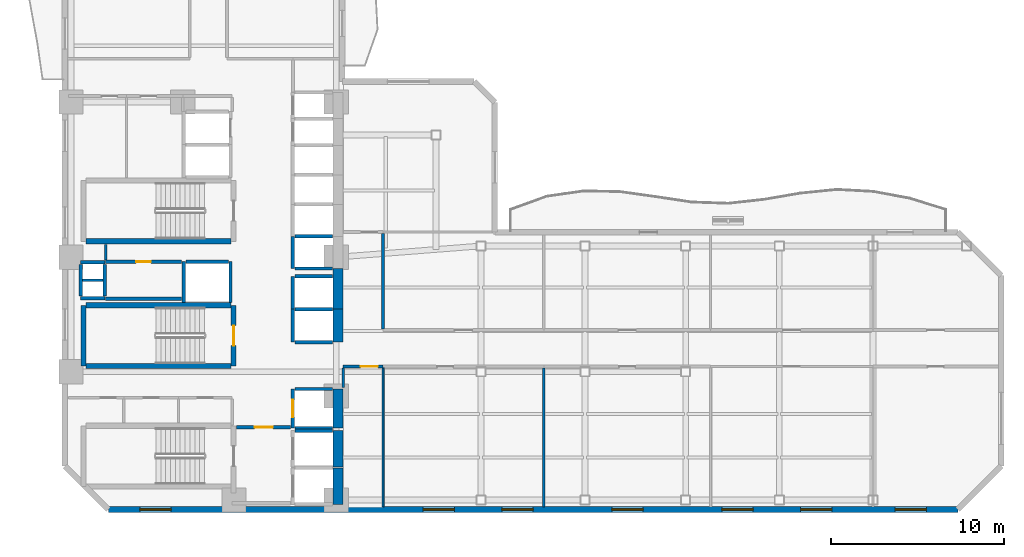
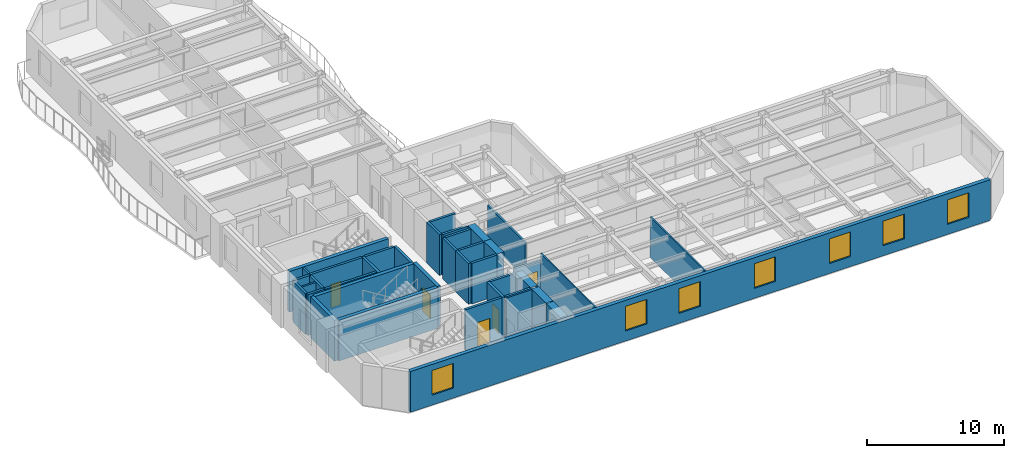
# One storey, part 3 of 10: 40 walls, 7 windows, 5 doors, 12 openings.
"""IFC4 building model written with IfcOpenShell, lengths in metres."""

from ifc_helpers import new_model, si_unit, direction, frame, frame_2d, origin, place, context, subcontext, project, spatial, rectangle, extrude, material, layer, layer_set, type_object, element, fill, save


model = new_model("IFC4")

# Units and contexts
model_context = context("Model", 3, precision=1e-05, world=origin(), true_north=direction((0.0, 1.0)))
body_context = subcontext(model_context, "Body", "Model", "MODEL_VIEW")
ifc_project = project(units=[si_unit("LENGTHUNIT", "METRE"), si_unit("AREAUNIT", "SQUARE_METRE"), si_unit("VOLUMEUNIT", "CUBIC_METRE"), si_unit("PLANEANGLEUNIT", "RADIAN"), si_unit("MASSUNIT", "GRAM", prefix="KILO")], contexts=[model_context])

# Site, building, storey
site_placement = place(None, origin())
site = spatial("IfcSite", under=ifc_project, at=site_placement, CompositionType="ELEMENT")
building_placement = place(site_placement, origin())
building = spatial("IfcBuilding", under=site, at=building_placement, Name="Mawjaban Terraces University", CompositionType="ELEMENT")
storey_placement = place(building_placement, frame((0.0, 0.0, 89.5)))
storey = spatial("IfcBuildingStorey", under=building, at=storey_placement, Name="L21", CompositionType="ELEMENT", Elevation=89.5)

# Walls
ifc_material_1 = material(Name="Concrete C70/85", Category="concrete")
ifc_layer_1 = layer(ifc_material_1, 0.60009765625)
ifc_layer_set_1 = layer_set([ifc_layer_1], Name="Concrete C70/85")
wall_type_1 = type_object("IfcWallType", Name="CoreShearWall_600", PredefinedType="SHEAR", material=ifc_layer_set_1)
wall_1_placement = place(storey_placement, frame((37.75, 0.300048828125, 0.0), z_axis=(0.0, 0.0, 1.0), x_axis=(0.0, 1.0, 0.0)))
element("IfcWall", 1, at=wall_1_placement, inside=storey, type_object=wall_type_1, Name="L21 Lift FL-1 Hoistway Wall East", PredefinedType="SHEAR", context=body_context, shape_type="SweptSolid", body=[
    extrude(rectangle(XDim=2.099853515625, YDim=0.60009765625, at=frame_2d((1.0498046875, 0.0))), origin(), (0.0, 0.0, 1.0), 3.639892578125),
])
wall_2_placement = place(storey_placement, frame((37.75, 2.449951171875, 0.0), z_axis=(0.0, 0.0, 1.0), x_axis=(0.0, 1.0, 0.0)))
element("IfcWall", 2, at=wall_2_placement, inside=storey, type_object=wall_type_1, Name="L21 Lift FL-2 Hoistway Wall East", PredefinedType="SHEAR", context=body_context, shape_type="SweptSolid", body=[
    extrude(rectangle(XDim=2.10009765625, YDim=0.60009765625, at=frame_2d((1.050048828125, 0.0))), origin(), (0.0, 0.0, 1.0), 3.639892578125),
])
wall_3_placement = place(storey_placement, frame((37.75, 4.699951171875, 0.0), z_axis=(0.0, 0.0, 1.0), x_axis=(0.0, 1.0, 0.0)))
element("IfcWall", 3, at=wall_3_placement, inside=storey, type_object=wall_type_1, Name="L21 Lift SL-1 Hoistway Wall East", PredefinedType="SHEAR", context=body_context, shape_type="SweptSolid", body=[
    extrude(rectangle(XDim=2.25, YDim=0.60009765625, at=frame_2d((1.125, 0.0))), origin(), (0.0, 0.0, 1.0), 3.639892578125),
])
wall_4_placement = place(storey_placement, frame((37.75, 9.64990234375, 0.0), z_axis=(0.0, 0.0, 1.0), x_axis=(0.0, 1.0, 0.0)))
element("IfcWall", 4, at=wall_4_placement, inside=storey, type_object=wall_type_1, Name="L21 Lift PL-H1 Hoistway Wall East", PredefinedType="SHEAR", context=body_context, shape_type="SweptSolid", body=[
    extrude(rectangle(XDim=1.900146484375, YDim=0.60009765625, at=frame_2d((0.9501953125, 0.0))), origin(), (0.0, 0.0, 1.0), 3.639892578125),
])
wall_5_placement = place(storey_placement, frame((37.75, 11.550048828125, 0.0), z_axis=(0.0, 0.0, 1.0), x_axis=(0.0, 1.0, 0.0)))
element("IfcWall", 5, at=wall_5_placement, inside=storey, type_object=wall_type_1, Name="L21 Lift PL-H2 Hoistway Wall East", PredefinedType="SHEAR", context=body_context, shape_type="SweptSolid", body=[
    extrude(rectangle(XDim=2.349853515625, YDim=0.60009765625, at=frame_2d((1.1748046875, 0.0))), origin(), (0.0, 0.0, 1.0), 3.639892578125),
])

# Wall, opening, door
ifc_material_2 = material(Name="Fire-rated gypsum board on steel stud", Category="steel")
ifc_layer_2 = layer(ifc_material_2, 0.159912109375)
ifc_layer_set_2 = layer_set([ifc_layer_2], Name="Fire-rated gypsum board on steel stud")
wall_type_2 = type_object("IfcWallType", Name="CorridorPartition_160", PredefinedType="PARTITIONING", material=ifc_layer_set_2)
wall_6_placement = place(storey_placement, frame((38.050048828125, 8.25, 0.0), z_axis=(0.0, 0.0, 1.0), x_axis=(1.0, 0.0, 0.0)))
wall_6 = element("IfcWall", 6, at=wall_6_placement, inside=storey, type_object=wall_type_2, Name="L21 East Academic Corridor Vestibule Partition 18", PredefinedType="PARTITIONING", context=body_context, shape_type="SweptSolid", body=[
    extrude(rectangle(XDim=2.300048828125, YDim=0.159912109375, at=frame_2d((1.14990234375, 0.0))), origin(), (0.0, 0.0, 1.0), 3.0048828125),
])
opening_1_placement = place(wall_6_placement, frame((1.0, 0.0, 0.0)))
opening_1 = element("IfcOpeningElement", 7, at=opening_1_placement, cuts=wall_6, Name="Opening ID-100", PredefinedType="OPENING", context=body_context, shape_type="SweptSolid", body=[
    extrude(rectangle(XDim=1.0, YDim=2.10009765625, at=frame_2d((0.5, 1.050048828125))), frame((0.0, 0.08984375, 0.0), z_axis=(0.0, -1.0, 0.0), x_axis=(1.0, 0.0, 0.0)), (0.0, 0.0, 1.0), 0.179931640625),
])
ifc_material_3 = material(Name="Powder-coated steel frame and solid acoustic timber leaf", Category="steel")
door_type_1 = type_object("IfcDoorType", Name="ClassroomDoor_1000x2100", OperationType="NOTDEFINED", PredefinedType="DOOR", material=ifc_material_3)
door_1_placement = place(opening_1_placement, origin())
door_1 = element("IfcDoor", 8, at=door_1_placement, inside=storey, type_object=door_type_1, Name="L21 Tutorial Room 1 Door", OperationType="SINGLE_SWING_LEFT", OverallHeight=2.10009765625, OverallWidth=1.0, PredefinedType="DOOR", context=body_context, shape_type="SweptSolid", body=[
    extrude(rectangle(XDim=1.0, YDim=2.10009765625, at=frame_2d((0.5, 1.050048828125))), frame((0.0, 0.02490234375, 0.0), z_axis=(0.0, -1.0, 0.0), x_axis=(1.0, 0.0, 0.0)), (0.0, 0.0, 1.0), 0.050048828125),
])
fill(opening_1, door_1)

# Walls
wall_7_placement = place(storey_placement, frame((24.35009765625, 15.2900390625, 0.0), z_axis=(0.0, 0.0, 1.0), x_axis=(0.0, -1.0, 0.0)))
element("IfcWall", 9, at=wall_7_placement, inside=storey, type_object=wall_type_2, Name="L21 Core Riser Access Passage Partition 29", PredefinedType="PARTITIONING", context=body_context, shape_type="SweptSolid", body=[
    extrude(rectangle(XDim=0.89501953125, YDim=0.159912109375, at=frame_2d((0.447509765625, 0.0))), origin(), (0.0, 0.0, 1.0), 3.639892578125),
])
wall_8_placement = place(storey_placement, frame((38.050048828125, 7.050048828125, 0.0), z_axis=(0.0, 0.0, 1.0), x_axis=(0.0, 1.0, 0.0)))
element("IfcWall", 10, at=wall_8_placement, inside=storey, type_object=wall_type_2, Name="L21 Core Stair and Lift Lobby East Partition 43", PredefinedType="PARTITIONING", context=body_context, shape_type="SweptSolid", body=[
    extrude(rectangle(XDim=1.125, YDim=0.159912109375, at=frame_2d((0.5625, 0.0))), origin(), (0.0, 0.0, 1.0), 3.0048828125),
])
wall_9_placement = place(storey_placement, frame((40.35009765625, 10.425048828125, 0.0), z_axis=(0.0, 0.0, 1.0), x_axis=(0.0, 1.0, 0.0)))
element("IfcWall", 11, at=wall_9_placement, inside=storey, type_object=wall_type_2, Name="L21 East Academic Corridor Vestibule Partition 45", PredefinedType="PARTITIONING", context=body_context, shape_type="SweptSolid", body=[
    extrude(rectangle(XDim=5.5, YDim=0.159912109375, at=frame_2d((2.75, 0.0))), origin(), (0.0, 0.0, 1.0), 3.22705078125),
])

# Wall, openings, windows
ifc_material_4 = material(Name="Insulated terracotta rainscreen on concrete backup C40/50", Category="masonry")
ifc_layer_3 = layer(ifc_material_4, 0.320068359375)
ifc_layer_set_3 = layer_set([ifc_layer_3], Name="Insulated terracotta rainscreen on concrete backup C40/50")
wall_type_3 = type_object("IfcWallType", Name="ExtTerracottaWall_320", PredefinedType="SOLIDWALL", material=ifc_layer_set_3)
wall_10_placement = place(storey_placement, frame((24.5, 0.0, 0.0), z_axis=(0.0, 0.0, 1.0), x_axis=(1.0, 0.0, 0.0)))
wall_10 = element("IfcWall", 12, at=wall_10_placement, inside=storey, type_object=wall_type_3, Name="L21 Exterior Terracotta Wall 1", PredefinedType="SOLIDWALL", context=body_context, shape_type="SweptSolid", body=[
    extrude(rectangle(XDim=49.0, YDim=0.320068359375, at=frame_2d((24.5, 0.0))), origin(), (0.0, 0.0, 1.0), 3.639892578125),
])
opening_2_placement = place(wall_10_placement, frame((1.822021484375, 0.0, 0.89990234375)))
opening_2 = element("IfcOpeningElement", 13, at=opening_2_placement, cuts=wall_10, Name="Opening W-10", PredefinedType="OPENING", context=body_context, shape_type="SweptSolid", body=[
    extrude(rectangle(XDim=1.800048828125, YDim=2.199951171875, at=frame_2d((0.89990234375, 1.10009765625))), frame((0.0, 0.169921875, 0.0), z_axis=(0.0, -1.0, 0.0), x_axis=(1.0, 0.0, 0.0)), (0.0, 0.0, 1.0), 0.340087890625),
])
opening_3_placement = place(wall_10_placement, frame((18.156005859375, 0.0, 0.89990234375)))
opening_3 = element("IfcOpeningElement", 14, at=opening_3_placement, cuts=wall_10, Name="Opening W-10", PredefinedType="OPENING", context=body_context, shape_type="SweptSolid", body=[
    extrude(rectangle(XDim=1.800048828125, YDim=2.199951171875, at=frame_2d((0.89990234375, 1.10009765625))), frame((0.0, 0.169921875, 0.0), z_axis=(0.0, -1.0, 0.0), x_axis=(1.0, 0.0, 0.0)), (0.0, 0.0, 1.0), 0.340087890625),
])
opening_4_placement = place(wall_10_placement, frame((22.699951171875, 0.0, 0.89990234375)))
opening_4 = element("IfcOpeningElement", 15, at=opening_4_placement, cuts=wall_10, Name="Opening W-10", PredefinedType="OPENING", context=body_context, shape_type="SweptSolid", body=[
    extrude(rectangle(XDim=1.800048828125, YDim=2.199951171875, at=frame_2d((0.89990234375, 1.10009765625))), frame((0.0, 0.169921875, 0.0), z_axis=(0.0, -1.0, 0.0), x_axis=(1.0, 0.0, 0.0)), (0.0, 0.0, 1.0), 0.340087890625),
])
opening_5_placement = place(wall_10_placement, frame((29.0439453125, 0.0, 0.89990234375)))
opening_5 = element("IfcOpeningElement", 16, at=opening_5_placement, cuts=wall_10, Name="Opening W-10", PredefinedType="OPENING", context=body_context, shape_type="SweptSolid", body=[
    extrude(rectangle(XDim=1.800048828125, YDim=2.199951171875, at=frame_2d((0.89990234375, 1.10009765625))), frame((0.0, 0.169921875, 0.0), z_axis=(0.0, -1.0, 0.0), x_axis=(1.0, 0.0, 0.0)), (0.0, 0.0, 1.0), 0.340087890625),
])
opening_6_placement = place(wall_10_placement, frame((35.388916015625, 0.0, 0.89990234375)))
opening_6 = element("IfcOpeningElement", 17, at=opening_6_placement, cuts=wall_10, Name="Opening W-10", PredefinedType="OPENING", context=body_context, shape_type="SweptSolid", body=[
    extrude(rectangle(XDim=1.800048828125, YDim=2.199951171875, at=frame_2d((0.89990234375, 1.10009765625))), frame((0.0, 0.169921875, 0.0), z_axis=(0.0, -1.0, 0.0), x_axis=(1.0, 0.0, 0.0)), (0.0, 0.0, 1.0), 0.340087890625),
])
opening_7_placement = place(wall_10_placement, frame((39.93310546875, 0.0, 0.89990234375)))
opening_7 = element("IfcOpeningElement", 18, at=opening_7_placement, cuts=wall_10, Name="Opening W-10", PredefinedType="OPENING", context=body_context, shape_type="SweptSolid", body=[
    extrude(rectangle(XDim=1.800048828125, YDim=2.199951171875, at=frame_2d((0.89990234375, 1.10009765625))), frame((0.0, 0.169921875, 0.0), z_axis=(0.0, -1.0, 0.0), x_axis=(1.0, 0.0, 0.0)), (0.0, 0.0, 1.0), 0.340087890625),
])
opening_8_placement = place(wall_10_placement, frame((45.3779296875, 0.0, 0.89990234375)))
opening_8 = element("IfcOpeningElement", 19, at=opening_8_placement, cuts=wall_10, Name="Opening W-10", PredefinedType="OPENING", context=body_context, shape_type="SweptSolid", body=[
    extrude(rectangle(XDim=1.800048828125, YDim=2.199951171875, at=frame_2d((0.89990234375, 1.10009765625))), frame((0.0, 0.169921875, 0.0), z_axis=(0.0, -1.0, 0.0), x_axis=(1.0, 0.0, 0.0)), (0.0, 0.0, 1.0), 0.340087890625),
])
ifc_material_5 = material(Name="Low-E solar-control double glazing in thermally broken aluminium frame", Category="aluminium")
window_type = type_object("IfcWindowType", Name="Win_1800x2200", PartitioningType="SINGLE_PANEL", PredefinedType="WINDOW", material=ifc_material_5)
window_1_placement = place(opening_2_placement, origin())
window_1 = element("IfcWindow", 20, at=window_1_placement, inside=storey, type_object=window_type, Name="L21 Facade Window 1.1", OverallHeight=2.199951171875, OverallWidth=1.800048828125, PartitioningType="SINGLE_PANEL", PredefinedType="WINDOW", context=body_context, shape_type="SweptSolid", body=[
    extrude(rectangle(XDim=1.800048828125, YDim=2.199951171875, at=frame_2d((0.89990234375, 1.10009765625))), frame((0.0, 0.030029296875, 0.0), z_axis=(0.0, -1.0, 0.0), x_axis=(1.0, 0.0, 0.0)), (0.0, 0.0, 1.0), 0.06005859375),
])
fill(opening_2, window_1)
window_2_placement = place(opening_3_placement, origin())
window_2 = element("IfcWindow", 21, at=window_2_placement, inside=storey, type_object=window_type, Name="L21 Facade Window 1.4", OverallHeight=2.199951171875, OverallWidth=1.800048828125, PartitioningType="SINGLE_PANEL", PredefinedType="WINDOW", context=body_context, shape_type="SweptSolid", body=[
    extrude(rectangle(XDim=1.800048828125, YDim=2.199951171875, at=frame_2d((0.89990234375, 1.10009765625))), frame((0.0, 0.030029296875, 0.0), z_axis=(0.0, -1.0, 0.0), x_axis=(1.0, 0.0, 0.0)), (0.0, 0.0, 1.0), 0.06005859375),
])
fill(opening_3, window_2)
window_3_placement = place(opening_4_placement, origin())
window_3 = element("IfcWindow", 22, at=window_3_placement, inside=storey, type_object=window_type, Name="L21 Facade Window 1.5", OverallHeight=2.199951171875, OverallWidth=1.800048828125, PartitioningType="SINGLE_PANEL", PredefinedType="WINDOW", context=body_context, shape_type="SweptSolid", body=[
    extrude(rectangle(XDim=1.800048828125, YDim=2.199951171875, at=frame_2d((0.89990234375, 1.10009765625))), frame((0.0, 0.030029296875, 0.0), z_axis=(0.0, -1.0, 0.0), x_axis=(1.0, 0.0, 0.0)), (0.0, 0.0, 1.0), 0.06005859375),
])
fill(opening_4, window_3)
window_4_placement = place(opening_5_placement, origin())
window_4 = element("IfcWindow", 23, at=window_4_placement, inside=storey, type_object=window_type, Name="L21 Facade Window 1.6", OverallHeight=2.199951171875, OverallWidth=1.800048828125, PartitioningType="SINGLE_PANEL", PredefinedType="WINDOW", context=body_context, shape_type="SweptSolid", body=[
    extrude(rectangle(XDim=1.800048828125, YDim=2.199951171875, at=frame_2d((0.89990234375, 1.10009765625))), frame((0.0, 0.030029296875, 0.0), z_axis=(0.0, -1.0, 0.0), x_axis=(1.0, 0.0, 0.0)), (0.0, 0.0, 1.0), 0.06005859375),
])
fill(opening_5, window_4)
window_5_placement = place(opening_6_placement, origin())
window_5 = element("IfcWindow", 24, at=window_5_placement, inside=storey, type_object=window_type, Name="L21 Facade Window 1.7", OverallHeight=2.199951171875, OverallWidth=1.800048828125, PartitioningType="SINGLE_PANEL", PredefinedType="WINDOW", context=body_context, shape_type="SweptSolid", body=[
    extrude(rectangle(XDim=1.800048828125, YDim=2.199951171875, at=frame_2d((0.89990234375, 1.10009765625))), frame((0.0, 0.030029296875, 0.0), z_axis=(0.0, -1.0, 0.0), x_axis=(1.0, 0.0, 0.0)), (0.0, 0.0, 1.0), 0.06005859375),
])
fill(opening_6, window_5)
window_6_placement = place(opening_7_placement, origin())
window_6 = element("IfcWindow", 25, at=window_6_placement, inside=storey, type_object=window_type, Name="L21 Facade Window 1.8", OverallHeight=2.199951171875, OverallWidth=1.800048828125, PartitioningType="SINGLE_PANEL", PredefinedType="WINDOW", context=body_context, shape_type="SweptSolid", body=[
    extrude(rectangle(XDim=1.800048828125, YDim=2.199951171875, at=frame_2d((0.89990234375, 1.10009765625))), frame((0.0, 0.030029296875, 0.0), z_axis=(0.0, -1.0, 0.0), x_axis=(1.0, 0.0, 0.0)), (0.0, 0.0, 1.0), 0.06005859375),
])
fill(opening_7, window_6)
window_7_placement = place(opening_8_placement, origin())
window_7 = element("IfcWindow", 26, at=window_7_placement, inside=storey, type_object=window_type, Name="L21 Facade Window 1.9", OverallHeight=2.199951171875, OverallWidth=1.800048828125, PartitioningType="SINGLE_PANEL", PredefinedType="WINDOW", context=body_context, shape_type="SweptSolid", body=[
    extrude(rectangle(XDim=1.800048828125, YDim=2.199951171875, at=frame_2d((0.89990234375, 1.10009765625))), frame((0.0, 0.030029296875, 0.0), z_axis=(0.0, -1.0, 0.0), x_axis=(1.0, 0.0, 0.0)), (0.0, 0.0, 1.0), 0.06005859375),
])
fill(opening_8, window_7)

# Wall
ifc_material_6 = material(Name="Concrete C40/50", Category="concrete")
ifc_layer_4 = layer(ifc_material_6, 0.199951171875)
ifc_layer_set_4 = layer_set([ifc_layer_4], Name="Concrete C40/50")
wall_type_4 = type_object("IfcWallType", Name="FireLobbyWall_200", PredefinedType="SOLIDWALL", material=ifc_layer_set_4)
wall_11_placement = place(storey_placement, frame((37.419921875, 4.550048828125, 0.0), z_axis=(0.0, 0.0, 1.0), x_axis=(-1.0, 0.0, 0.0)))
element("IfcWall", 27, at=wall_11_placement, inside=storey, type_object=wall_type_4, Name="L21 Lift FL-2 Hoistway Wall North", PredefinedType="SOLIDWALL", context=body_context, shape_type="SweptSolid", body=[
    extrude(rectangle(XDim=2.139892578125, YDim=0.199951171875, at=frame_2d((1.06982421875, 0.0))), origin(), (0.0, 0.0, 1.0), 3.639892578125),
])

# Wall, opening, door
wall_12_placement = place(storey_placement, frame((35.14990234375, 6.949951171875, 0.0), z_axis=(0.0, 0.0, 1.0), x_axis=(0.0, -1.0, 0.0)))
wall_12 = element("IfcWall", 28, at=wall_12_placement, inside=storey, type_object=wall_type_4, Name="L21 Lift SL-1 Hoistway Wall West", PredefinedType="SOLIDWALL", context=body_context, shape_type="SweptSolid", body=[
    extrude(rectangle(XDim=2.25, YDim=0.199951171875, at=frame_2d((1.125, 0.0))), origin(), (0.0, 0.0, 1.0), 3.639892578125),
])
opening_9_placement = place(wall_12_placement, frame((0.625, 0.0, 0.0)))
opening_9 = element("IfcOpeningElement", 29, at=opening_9_placement, cuts=wall_12, Name="Opening LD-SL-1", PredefinedType="OPENING", context=body_context, shape_type="SweptSolid", body=[
    extrude(rectangle(XDim=1.0, YDim=2.10009765625, at=frame_2d((0.5, 1.050048828125))), frame((0.0, 0.10986328125, 0.0), z_axis=(0.0, -1.0, 0.0), x_axis=(1.0, 0.0, 0.0)), (0.0, 0.0, 1.0), 0.219970703125),
])
ifc_material_7 = material(Name="Powder-coated steel frame and fire-rated steel-faced leaf", Category="steel")
door_type_2 = type_object("IfcDoorType", Name="LiftLandingSliding_1000x2100", OperationType="NOTDEFINED", PredefinedType="DOOR", material=ifc_material_7)
door_2_placement = place(opening_9_placement, origin())
door_2 = element("IfcDoor", 30, at=door_2_placement, inside=storey, type_object=door_type_2, Name="L21 Lift SL-1 Sliding Landing Door", OperationType="DOUBLE_DOOR_SLIDING", OverallHeight=2.10009765625, OverallWidth=1.0, PredefinedType="DOOR", context=body_context, shape_type="SweptSolid", body=[
    extrude(rectangle(XDim=1.0, YDim=2.10009765625, at=frame_2d((0.5, 1.050048828125))), frame((0.0, 0.02490234375, 0.0), z_axis=(0.0, -1.0, 0.0), x_axis=(1.0, 0.0, 0.0)), (0.0, 0.0, 1.0), 0.050048828125),
])
fill(opening_9, door_2)

# Walls
for number, where, z_axis, x_axis, name in (
    (31, (35.280029296875, 4.699951171875, 0.0), (0.0, 0.0, 1.0), (1.0, 0.0, 0.0), "L21 Lift SL-1 Hoistway Wall South"),
    (32, (37.419921875, 6.949951171875, 0.0), (0.0, 0.0, 1.0), (-1.0, 0.0, 0.0), "L21 Lift SL-1 Hoistway Wall North"),
):
    element("IfcWall", number, at=place(storey_placement, frame(where, z_axis=z_axis, x_axis=x_axis)), inside=storey, type_object=wall_type_4, Name=name, PredefinedType="SOLIDWALL", context=body_context, shape_type="SweptSolid", body=[
        extrude(rectangle(XDim=2.139892578125, YDim=0.199951171875, at=frame_2d((1.06982421875, 0.0))), origin(), (0.0, 0.0, 1.0), 3.639892578125),
    ])
wall_13_placement = place(storey_placement, frame((35.14990234375, 11.550048828125, 0.0), z_axis=(0.0, 0.0, 1.0), x_axis=(0.0, -1.0, 0.0)))
element("IfcWall", 33, at=wall_13_placement, inside=storey, type_object=wall_type_4, Name="L21 Lift PL-H1 Hoistway Wall West", PredefinedType="SOLIDWALL", context=body_context, shape_type="SweptSolid", body=[
    extrude(rectangle(XDim=1.900146484375, YDim=0.199951171875, at=frame_2d((0.9501953125, 0.0))), origin(), (0.0, 0.0, 1.0), 3.639892578125),
])
for number, where, z_axis, x_axis, name in (
    (34, (35.280029296875, 9.64990234375, 0.0), (0.0, 0.0, 1.0), (1.0, 0.0, 0.0), "L21 Lift PL-H1 Hoistway Wall South"),
    (35, (37.419921875, 11.550048828125, 0.0), (0.0, 0.0, 1.0), (-1.0, 0.0, 0.0), "L21 Lift PL-H1 Hoistway Wall North"),
):
    element("IfcWall", number, at=place(storey_placement, frame(where, z_axis=z_axis, x_axis=x_axis)), inside=storey, type_object=wall_type_4, Name=name, PredefinedType="SOLIDWALL", context=body_context, shape_type="SweptSolid", body=[
        extrude(rectangle(XDim=2.139892578125, YDim=0.199951171875, at=frame_2d((1.06982421875, 0.0))), origin(), (0.0, 0.0, 1.0), 3.639892578125),
    ])
wall_14_placement = place(storey_placement, frame((35.14990234375, 13.449951171875, 0.0), z_axis=(0.0, 0.0, 1.0), x_axis=(0.0, -1.0, 0.0)))
element("IfcWall", 36, at=wall_14_placement, inside=storey, type_object=wall_type_4, Name="L21 Lift PL-H2 Hoistway Wall West", PredefinedType="SOLIDWALL", context=body_context, shape_type="SweptSolid", body=[
    extrude(rectangle(XDim=1.89990234375, YDim=0.199951171875, at=frame_2d((0.949951171875, 0.0))), origin(), (0.0, 0.0, 1.0), 3.639892578125),
])
wall_15_placement = place(storey_placement, frame((37.419921875, 13.449951171875, 0.0), z_axis=(0.0, 0.0, 1.0), x_axis=(-1.0, 0.0, 0.0)))
element("IfcWall", 37, at=wall_15_placement, inside=storey, type_object=wall_type_4, Name="L21 Lift PL-H2 Hoistway Wall North", PredefinedType="SOLIDWALL", context=body_context, shape_type="SweptSolid", body=[
    extrude(rectangle(XDim=2.139892578125, YDim=0.199951171875, at=frame_2d((1.06982421875, 0.0))), origin(), (0.0, 0.0, 1.0), 3.639892578125),
])
for number, where, z_axis, x_axis, name in (
    (38, (28.85009765625, 14.300048828125, 0.0), (0.0, 0.0, 1.0), (0.0, -1.0, 0.0), "L21 Lift PL-H3 Hoistway Wall West"),
    (39, (31.550048828125, 11.929931640625, 0.0), (0.0, 0.0, 1.0), (0.0, 1.0, 0.0), "L21 Lift PL-H3 Hoistway Wall East"),
):
    element("IfcWall", number, at=place(storey_placement, frame(where, z_axis=z_axis, x_axis=x_axis)), inside=storey, type_object=wall_type_4, Name=name, PredefinedType="SOLIDWALL", context=body_context, shape_type="SweptSolid", body=[
        extrude(rectangle(XDim=2.3701171875, YDim=0.199951171875, at=frame_2d((1.18505859375, 0.0))), origin(), (0.0, 0.0, 1.0), 3.639892578125),
    ])
wall_16_placement = place(storey_placement, frame((31.419921875, 14.300048828125, 0.0), z_axis=(0.0, 0.0, 1.0), x_axis=(-1.0, 0.0, 0.0)))
element("IfcWall", 40, at=wall_16_placement, inside=storey, type_object=wall_type_4, Name="L21 Lift PL-H3 Hoistway Wall North", PredefinedType="SOLIDWALL", context=body_context, shape_type="SweptSolid", body=[
    extrude(rectangle(XDim=2.43994140625, YDim=0.199951171875, at=frame_2d((1.219970703125, 0.0))), origin(), (0.0, 0.0, 1.0), 3.639892578125),
])
wall_17_placement = place(storey_placement, frame((35.14990234375, 15.75, 0.0), z_axis=(0.0, 0.0, 1.0), x_axis=(0.0, -1.0, 0.0)))
element("IfcWall", 41, at=wall_17_placement, inside=storey, type_object=wall_type_4, Name="L21 Lift OL-1 Hoistway Wall West", PredefinedType="SOLIDWALL", context=body_context, shape_type="SweptSolid", body=[
    extrude(rectangle(XDim=1.85009765625, YDim=0.199951171875, at=frame_2d((0.925048828125, 0.0))), origin(), (0.0, 0.0, 1.0), 3.639892578125),
])
for number, where, z_axis, x_axis, name in (
    (42, (35.280029296875, 13.89990234375, 0.0), (0.0, 0.0, 1.0), (1.0, 0.0, 0.0), "L21 Lift OL-1 Hoistway Wall South"),
    (43, (37.419921875, 15.75, 0.0), (0.0, 0.0, 1.0), (-1.0, 0.0, 0.0), "L21 Lift OL-1 Hoistway Wall North"),
):
    element("IfcWall", number, at=place(storey_placement, frame(where, z_axis=z_axis, x_axis=x_axis)), inside=storey, type_object=wall_type_4, Name=name, PredefinedType="SOLIDWALL", context=body_context, shape_type="SweptSolid", body=[
        extrude(rectangle(XDim=2.139892578125, YDim=0.199951171875, at=frame_2d((1.06982421875, 0.0))), origin(), (0.0, 0.0, 1.0), 3.639892578125),
    ])
for number, where, z_axis, x_axis, name in (
    (44, (22.89990234375, 14.25, 0.0), (0.0, 0.0, 1.0), (1.0, 0.0, 0.0), "L21 MEP Riser Shaft Wall N"),
    (45, (22.89990234375, 12.179931640625, 0.0), (0.0, 0.0, 1.0), (1.0, 0.0, 0.0), "L21 MEP Riser Shaft Wall S"),
):
    element("IfcWall", number, at=place(storey_placement, frame(where, z_axis=z_axis, x_axis=x_axis)), inside=storey, type_object=wall_type_4, Name=name, PredefinedType="SOLIDWALL", context=body_context, shape_type="SweptSolid", body=[
        extrude(rectangle(XDim=1.400146484375, YDim=0.199951171875, at=frame_2d((0.7001953125, 0.0))), origin(), (0.0, 0.0, 1.0), 3.639892578125),
    ])
for number, where, z_axis, x_axis, name in (
    (46, (24.300048828125, 12.300048828125, 0.0), (0.0, 0.0, 1.0), (0.0, 1.0, 0.0), "L21 MEP Riser Shaft Wall E"),
    (47, (22.89990234375, 12.300048828125, 0.0), (0.0, 0.0, 1.0), (0.0, 1.0, 0.0), "L21 MEP Riser Shaft Wall W"),
):
    element("IfcWall", number, at=place(storey_placement, frame(where, z_axis=z_axis, x_axis=x_axis)), inside=storey, type_object=wall_type_4, Name=name, PredefinedType="SOLIDWALL", context=body_context, shape_type="SweptSolid", body=[
        extrude(rectangle(XDim=1.829833984375, YDim=0.199951171875, at=frame_2d((0.9150390625, 0.0))), origin(), (0.0, 0.0, 1.0), 3.639892578125),
    ])
wall_18_placement = place(storey_placement, frame((24.35009765625, 12.14990234375, 0.0), z_axis=(0.0, 0.0, 1.0), x_axis=(1.0, 0.0, 0.0)))
element("IfcWall", 48, at=wall_18_placement, inside=storey, type_object=wall_type_4, Name="L21 IT and Telecoms Riser Room Partition 2", PredefinedType="SOLIDWALL", context=body_context, shape_type="SweptSolid", body=[
    extrude(rectangle(XDim=4.369873046875, YDim=0.199951171875, at=frame_2d((2.18505859375, 0.0))), origin(), (0.0, 0.0, 1.0), 3.639892578125),
])

# Wall, opening, door
wall_19_placement = place(storey_placement, frame((24.35009765625, 14.300048828125, 0.0), z_axis=(0.0, 0.0, 1.0), x_axis=(1.0, 0.0, 0.0)))
wall_19 = element("IfcWall", 49, at=wall_19_placement, inside=storey, type_object=wall_type_4, Name="L21 Core Riser Access Passage Partition 3", PredefinedType="SOLIDWALL", context=body_context, shape_type="SweptSolid", body=[
    extrude(rectangle(XDim=4.369873046875, YDim=0.199951171875, at=frame_2d((2.18505859375, 0.0))), origin(), (0.0, 0.0, 1.0), 3.639892578125),
])
opening_10_placement = place(wall_19_placement, frame((1.760009765625, 0.0, 0.0)))
opening_10 = element("IfcOpeningElement", 50, at=opening_10_placement, cuts=wall_19, Name="Opening FD-085", PredefinedType="OPENING", context=body_context, shape_type="SweptSolid", body=[
    extrude(rectangle(XDim=0.85009765625, YDim=2.10009765625, at=frame_2d((0.425048828125, 1.050048828125))), frame((0.0, 0.10986328125, 0.0), z_axis=(0.0, -1.0, 0.0), x_axis=(1.0, 0.0, 0.0)), (0.0, 0.0, 1.0), 0.219970703125),
])
door_type_3 = type_object("IfcDoorType", Name="FireRiserDoor_850x2100", OperationType="NOTDEFINED", PredefinedType="DOOR", material=ifc_material_7)
door_3_placement = place(opening_10_placement, origin())
door_3 = element("IfcDoor", 51, at=door_3_placement, inside=storey, type_object=door_type_3, Name="L21 IT and Telecoms Riser Room Door", OperationType="SINGLE_SWING_RIGHT", OverallHeight=2.10009765625, OverallWidth=0.85009765625, PredefinedType="DOOR", context=body_context, shape_type="SweptSolid", body=[
    extrude(rectangle(XDim=0.85009765625, YDim=2.10009765625, at=frame_2d((0.425048828125, 1.050048828125))), frame((0.0, 0.02490234375, 0.0), z_axis=(0.0, -1.0, 0.0), x_axis=(1.0, 0.0, 0.0)), (0.0, 0.0, 1.0), 0.050048828125),
])
fill(opening_10, door_3)

wall_20_placement = place(storey_placement, frame((35.02001953125, 4.75, 0.0), z_axis=(0.0, 0.0, 1.0), x_axis=(-1.0, 0.0, 0.0)))
wall_20 = element("IfcWall", 52, at=wall_20_placement, inside=storey, type_object=wall_type_4, Name="L21 Firefighting Lift Lobby Partition 13", PredefinedType="SOLIDWALL", context=body_context, shape_type="SweptSolid", body=[
    extrude(rectangle(XDim=3.110107421875, YDim=0.199951171875, at=frame_2d((1.55517578125, 0.0))), origin(), (0.0, 0.0, 1.0), 3.639892578125),
])
opening_11_placement = place(wall_20_placement, frame((1.030029296875, 0.0, 0.0)))
opening_11 = element("IfcOpeningElement", 53, at=opening_11_placement, cuts=wall_20, Name="Opening FD-105", PredefinedType="OPENING", context=body_context, shape_type="SweptSolid", body=[
    extrude(rectangle(XDim=1.050048828125, YDim=2.14990234375, at=frame_2d((0.52490234375, 1.074951171875))), frame((0.0, 0.10986328125, 0.0), z_axis=(0.0, -1.0, 0.0), x_axis=(1.0, 0.0, 0.0)), (0.0, 0.0, 1.0), 0.219970703125),
])
door_type_4 = type_object("IfcDoorType", Name="FireLobbyDoor_1050x2150", OperationType="NOTDEFINED", PredefinedType="DOOR", material=ifc_material_7)
door_4_placement = place(opening_11_placement, origin())
door_4 = element("IfcDoor", 54, at=door_4_placement, inside=storey, type_object=door_type_4, Name="L21 Firefighting Lift Lobby Door", OperationType="SINGLE_SWING_RIGHT", OverallHeight=2.14990234375, OverallWidth=1.050048828125, PredefinedType="DOOR", context=body_context, shape_type="SweptSolid", body=[
    extrude(rectangle(XDim=1.050048828125, YDim=2.14990234375, at=frame_2d((0.52490234375, 1.074951171875))), frame((0.0, 0.02490234375, 0.0), z_axis=(0.0, -1.0, 0.0), x_axis=(1.0, 0.0, 0.0)), (0.0, 0.0, 1.0), 0.050048828125),
])
fill(opening_11, door_4)

# Walls
ifc_material_8 = material(Name="Moisture-resistant gypsum board on steel stud", Category="steel")
ifc_layer_5 = layer(ifc_material_8, 0.14501953125)
ifc_layer_set_5 = layer_set([ifc_layer_5], Name="Moisture-resistant gypsum board on steel stud")
wall_type_5 = type_object("IfcWallType", Name="LabPartition_145", PredefinedType="PARTITIONING", material=ifc_layer_set_5)
wall_21_placement = place(storey_placement, frame((23.010009765625, 13.22509765625, 0.0), z_axis=(0.0, 0.0, 1.0), x_axis=(1.0, 0.0, 0.0)))
element("IfcWall", 55, at=wall_21_placement, inside=storey, type_object=wall_type_5, Name="L21 MEP Riser Shaft Wall M", PredefinedType="PARTITIONING", context=body_context, shape_type="SweptSolid", body=[
    extrude(rectangle(XDim=1.179931640625, YDim=0.14501953125, at=frame_2d((0.58984375, 0.0))), origin(), (0.0, 0.0, 1.0), 3.639892578125),
])
ifc_material_9 = material(Name="Gypsum plasterboard on steel stud", Category="steel")
ifc_layer_6 = layer(ifc_material_9, 0.125)
ifc_layer_set_6 = layer_set([ifc_layer_6], Name="Gypsum plasterboard on steel stud")
wall_type_6 = type_object("IfcWallType", Name="OfficePartition_125", PredefinedType="PARTITIONING", material=ifc_layer_set_6)
wall_22_placement = place(storey_placement, frame((49.6201171875, 0.155029296875, 0.0), z_axis=(0.0, 0.0, 1.0), x_axis=(0.0, 1.0, 0.0)))
element("IfcWall", 56, at=wall_22_placement, inside=storey, type_object=wall_type_6, Name="L21 Conference Room 2 Partition 46", PredefinedType="PARTITIONING", context=body_context, shape_type="SweptSolid", body=[
    extrude(rectangle(XDim=8.02001953125, YDim=0.125, at=frame_2d((4.010009765625, 0.0))), origin(), (0.0, 0.0, 1.0), 3.639892578125),
])
ifc_material_10 = material(Name="Acoustic operable panel partition", Category="masonry")
ifc_layer_7 = layer(ifc_material_10, 0.110107421875)
ifc_layer_set_7 = layer_set([ifc_layer_7], Name="Acoustic operable panel partition")
wall_type_7 = type_object("IfcWallType", Name="OperableSeminarWall_110", PredefinedType="MOVABLE", material=ifc_layer_set_7)
wall_23_placement = place(storey_placement, frame((40.35009765625, 0.155029296875, 0.0), z_axis=(0.0, 0.0, 1.0), x_axis=(0.0, 1.0, 0.0)))
element("IfcWall", 57, at=wall_23_placement, inside=storey, type_object=wall_type_7, Name="L21 Tutorial Room 1 Partition 44", PredefinedType="MOVABLE", context=body_context, shape_type="SweptSolid", body=[
    extrude(rectangle(XDim=8.02001953125, YDim=0.110107421875, at=frame_2d((4.010009765625, 0.0))), origin(), (0.0, 0.0, 1.0), 3.639892578125),
])
ifc_material_11 = material(Name="Concrete C60/75", Category="concrete")
ifc_layer_8 = layer(ifc_material_11, 0.300048828125)
ifc_layer_set_8 = layer_set([ifc_layer_8], Name="Concrete C60/75")
wall_type_8 = type_object("IfcWallType", Name="StairShaftWall_300", PredefinedType="SHEAR", material=ifc_layer_set_8)
for number, where, z_axis, x_axis, name in (
    (58, (23.219970703125, 15.469970703125, 0.0), (0.0, 0.0, 1.0), (1.0, 0.0, 0.0), "L21 ST-2 Stair Shaft Wall 3"),
    (59, (31.580078125, 11.780029296875, 0.0), (0.0, 0.0, 1.0), (-1.0, 0.0, 0.0), "L21 ST-3 Stair Shaft Wall 1"),
):
    element("IfcWall", number, at=place(storey_placement, frame(where, z_axis=z_axis, x_axis=x_axis)), inside=storey, type_object=wall_type_8, Name=name, PredefinedType="SHEAR", context=body_context, shape_type="SweptSolid", body=[
        extrude(rectangle(XDim=8.360107421875, YDim=0.300048828125, at=frame_2d((4.18017578125, 0.0))), origin(), (0.0, 0.0, 1.0), 3.639892578125),
    ])
wall_24_placement = place(storey_placement, frame((23.070068359375, 11.780029296875, 0.0), z_axis=(0.0, 0.0, 1.0), x_axis=(0.0, -1.0, 0.0)))
element("IfcWall", 60, at=wall_24_placement, inside=storey, type_object=wall_type_8, Name="L21 ST-3 Stair Shaft Wall 2", PredefinedType="SHEAR", context=body_context, shape_type="SweptSolid", body=[
    extrude(rectangle(XDim=3.510009765625, YDim=0.300048828125, at=frame_2d((1.7548828125, 0.0))), origin(), (0.0, 0.0, 1.0), 3.639892578125),
])
wall_25_placement = place(storey_placement, frame((23.219970703125, 8.27001953125, 0.0), z_axis=(0.0, 0.0, 1.0), x_axis=(1.0, 0.0, 0.0)))
element("IfcWall", 61, at=wall_25_placement, inside=storey, type_object=wall_type_8, Name="L21 ST-3 Stair Shaft Wall 3", PredefinedType="SHEAR", context=body_context, shape_type="SweptSolid", body=[
    extrude(rectangle(XDim=8.360107421875, YDim=0.300048828125, at=frame_2d((4.18017578125, 0.0))), origin(), (0.0, 0.0, 1.0), 3.639892578125),
])

# Wall, opening, door
wall_26_placement = place(storey_placement, frame((31.72998046875, 8.27001953125, 0.0), z_axis=(0.0, 0.0, 1.0), x_axis=(0.0, 1.0, 0.0)))
wall_26 = element("IfcWall", 62, at=wall_26_placement, inside=storey, type_object=wall_type_8, Name="L21 ST-3 Stair Shaft Wall 4", PredefinedType="SHEAR", context=body_context, shape_type="SweptSolid", body=[
    extrude(rectangle(XDim=3.510009765625, YDim=0.300048828125, at=frame_2d((1.7548828125, 0.0))), origin(), (0.0, 0.0, 1.0), 3.639892578125),
])
opening_12_placement = place(wall_26_placement, frame((1.179931640625, 0.0, 0.0)))
opening_12 = element("IfcOpeningElement", 63, at=opening_12_placement, cuts=wall_26, Name="Opening FD-115", PredefinedType="OPENING", context=body_context, shape_type="SweptSolid", body=[
    extrude(rectangle(XDim=1.14990234375, YDim=2.14990234375, at=frame_2d((0.574951171875, 1.074951171875))), frame((0.0, 0.159912109375, 0.0), z_axis=(0.0, -1.0, 0.0), x_axis=(1.0, 0.0, 0.0)), (0.0, 0.0, 1.0), 0.320068359375),
])
door_type_5 = type_object("IfcDoorType", Name="FireStairDoor_1150x2150", OperationType="NOTDEFINED", PredefinedType="DOOR", material=ifc_material_7)
door_5_placement = place(opening_12_placement, origin())
door_5 = element("IfcDoor", 64, at=door_5_placement, inside=storey, type_object=door_type_5, Name="L21 ST-3 Pressurised Stair Fire Door", OperationType="SINGLE_SWING_LEFT", OverallHeight=2.14990234375, OverallWidth=1.14990234375, PredefinedType="DOOR", context=body_context, shape_type="SweptSolid", body=[
    extrude(rectangle(XDim=1.14990234375, YDim=2.14990234375, at=frame_2d((0.574951171875, 1.074951171875))), frame((0.0, 0.02490234375, 0.0), z_axis=(0.0, -1.0, 0.0), x_axis=(1.0, 0.0, 0.0)), (0.0, 0.0, 1.0), 0.050048828125),
])
fill(opening_12, door_5)

save(model, "model.ifc")
